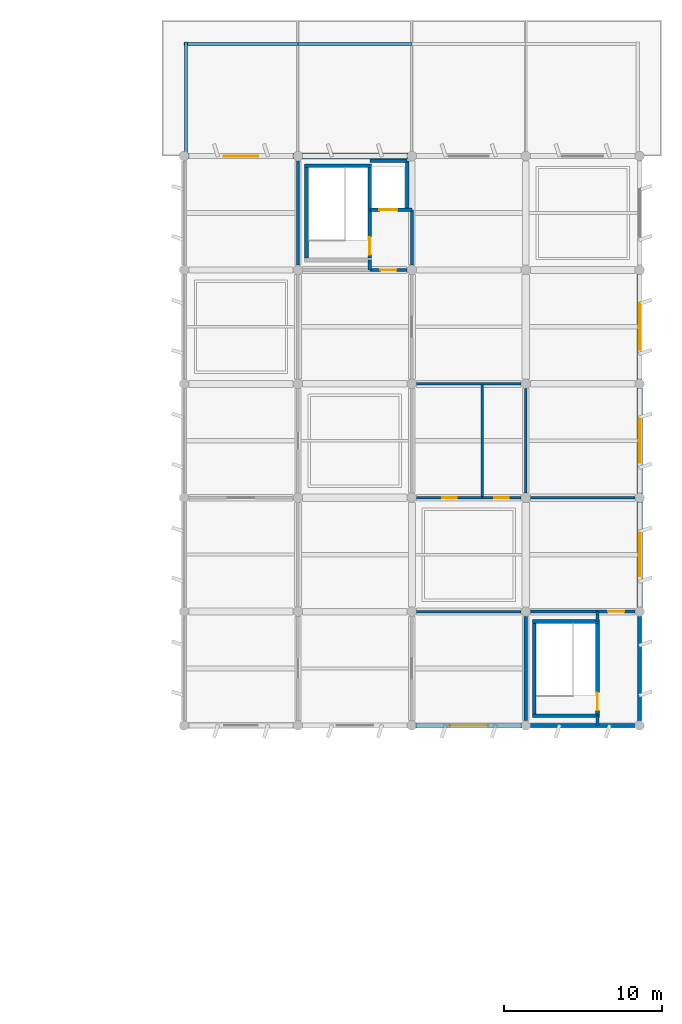
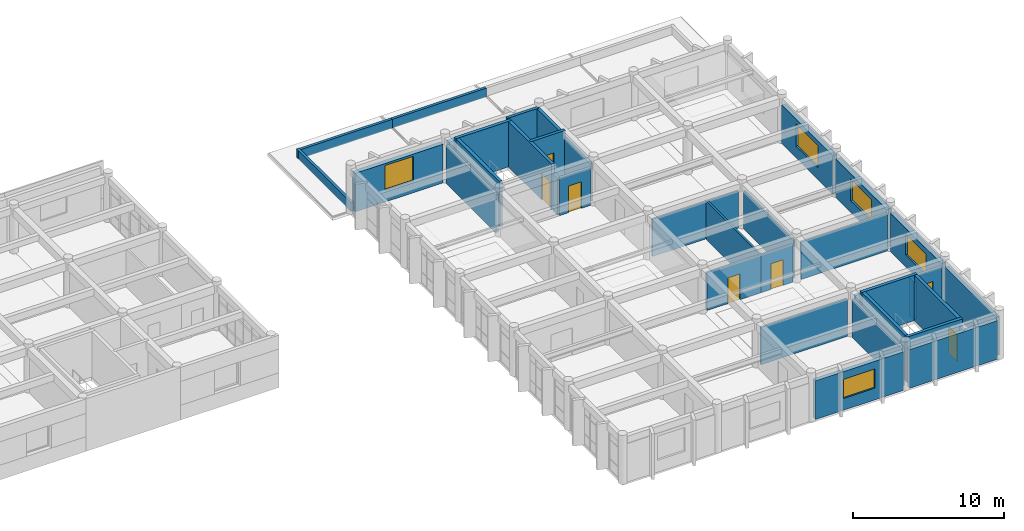
# One storey, part 13 of 16: 37 walls, 7 doors, 5 windows, 12 openings.
"""IFC4 building model written with IfcOpenShell, lengths in metres."""

from ifc_helpers import new_model, si_unit, direction, frame, frame_2d, origin, place, context, subcontext, project, spatial, rectangle, extrude, material, layer, layer_set, type_object, element, fill, save


model = new_model("IFC4")

# Units and contexts
model_context = context("Model", 3, precision=1e-05, world=origin(), true_north=direction((0.0, 1.0)))
body_context = subcontext(model_context, "Body", "Model", "MODEL_VIEW")
ifc_project = project(units=[si_unit("LENGTHUNIT", "METRE"), si_unit("AREAUNIT", "SQUARE_METRE"), si_unit("VOLUMEUNIT", "CUBIC_METRE"), si_unit("PLANEANGLEUNIT", "RADIAN"), si_unit("MASSUNIT", "GRAM", prefix="KILO")], contexts=[model_context])

# Site, building, storey
site_placement = place(None, origin())
site = spatial("IfcSite", under=ifc_project, at=site_placement, CompositionType="ELEMENT")
building_placement = place(site_placement, origin())
building = spatial("IfcBuilding", under=site, at=building_placement, Name="Kavelor Marine Aquarium", CompositionType="ELEMENT")
storey_placement = place(building_placement, frame((0.0, 0.0, 21.60009765625)))
storey = spatial("IfcBuildingStorey", under=building, at=storey_placement, Name="L05", CompositionType="ELEMENT", Elevation=21.60009765625)

# Wall
ifc_material_1 = material(Name="Concrete C45/55", Category="concrete")
ifc_layer_1 = layer(ifc_material_1, 0.360107421875)
ifc_layer_set_1 = layer_set([ifc_layer_1], Name="WL-EX1")
wall_type_1 = type_object("IfcWallType", Name="WL-EX1", PredefinedType="STANDARD", material=ifc_layer_set_1)
wall_1_placement = place(storey_placement, frame((125.8349609375, 103.60009765625, 0.0), z_axis=(0.0, 0.0, 1.0), x_axis=(1.0, 0.0, 0.0)))
element("IfcWall", 1, at=wall_1_placement, inside=storey, type_object=wall_type_1, Name="ew:x:L05:17_14", PredefinedType="STANDARD", context=body_context, shape_type="SweptSolid", body=[
    extrude(rectangle(XDim=6.72998046875, YDim=0.360107421875, at=frame_2d((3.364990234375, 0.0))), origin(), (0.0, 0.0, 1.0), 3.119873046875),
])

# Wall, opening, window
wall_2_placement = place(storey_placement, frame((147.199951171875, 88.965087890625, 0.0), z_axis=(0.0, 0.0, 1.0), x_axis=(0.0, -1.0, 0.0)))
wall_2 = element("IfcWall", 2, at=wall_2_placement, inside=storey, type_object=wall_type_1, Name="ew:y:L05:20_11", PredefinedType="STANDARD", context=body_context, shape_type="SweptSolid", body=[
    extrude(rectangle(XDim=6.72998046875, YDim=0.360107421875, at=frame_2d((3.364990234375, 0.0))), origin(), (0.0, 0.0, 1.0), 3.119873046875),
])
opening_1_placement = place(wall_2_placement, frame((1.965087890625, 0.0, 0.949951171875)))
opening_1 = element("IfcOpeningElement", 3, at=opening_1_placement, cuts=wall_2, Name="Opening W18", PredefinedType="OPENING", context=body_context, shape_type="SweptSolid", body=[
    extrude(rectangle(XDim=2.800048828125, YDim=1.75, at=frame_2d((1.39990234375, 0.875))), frame((0.0, 0.18994140625, 0.0), z_axis=(0.0, -1.0, 0.0), x_axis=(1.0, 0.0, 0.0)), (0.0, 0.0, 1.0), 0.380107),
])
ifc_material_2 = material(Name="Anodised Aluminium Frame with Low-E Double Glazing", Category="aluminium")
window_type_1 = type_object("IfcWindowType", Name="WIN-W18", PartitioningType="DOUBLE_PANEL_VERTICAL", PredefinedType="WINDOW", material=ifc_material_2)
window_1_placement = place(opening_1_placement, origin())
window_1 = element("IfcWindow", 4, at=window_1_placement, inside=storey, type_object=window_type_1, Name="win:y:L05:20_11", OverallHeight=1.75, OverallWidth=2.800048828125, PartitioningType="SINGLE_PANEL", PredefinedType="WINDOW", context=body_context, shape_type="SweptSolid", body=[
    extrude(rectangle(XDim=2.800048828125, YDim=1.75, at=frame_2d((1.39990234375, 0.875))), frame((0.0, 0.030029296875, 0.0), z_axis=(0.0, -1.0, 0.0), x_axis=(1.0, 0.0, 0.0)), (0.0, 0.0, 1.0), 0.06005859375),
])
fill(opening_1, window_1)

ifc_material_3 = material(Name="Concrete C45/55", Category="concrete")
ifc_layer_2 = layer(ifc_material_3, 0.320068359375)
ifc_layer_set_2 = layer_set([ifc_layer_2], Name="WL-EX2")
wall_type_2 = type_object("IfcWallType", Name="WL-EX2", PredefinedType="STANDARD", material=ifc_layer_set_2)
wall_3_placement = place(storey_placement, frame((147.199951171875, 96.1650390625, 0.0), z_axis=(0.0, 0.0, 1.0), x_axis=(0.0, -1.0, 0.0)))
wall_3 = element("IfcWall", 5, at=wall_3_placement, inside=storey, type_object=wall_type_2, Name="ew:y:L05:20_12", PredefinedType="STANDARD", context=body_context, shape_type="SweptSolid", body=[
    extrude(rectangle(XDim=6.72998046875, YDim=0.320068359375, at=frame_2d((3.364990234375, 0.0))), origin(), (0.0, 0.0, 1.0), 3.119873046875),
])
opening_2_placement = place(wall_3_placement, frame((1.9150390625, 0.0, 0.949951171875)))
opening_2 = element("IfcOpeningElement", 6, at=opening_2_placement, cuts=wall_3, Name="Opening W19", PredefinedType="OPENING", context=body_context, shape_type="SweptSolid", body=[
    extrude(rectangle(XDim=2.89990234375, YDim=1.800048828125, at=frame_2d((1.449951171875, 0.89990234375))), frame((0.0, 0.169921875, 0.0), z_axis=(0.0, -1.0, 0.0), x_axis=(1.0, 0.0, 0.0)), (0.0, 0.0, 1.0), 0.340068),
])
ifc_material_4 = material(Name="Anodised Aluminium Frame with Low-E Double Glazing", Category="aluminium")
window_type_2 = type_object("IfcWindowType", Name="WIN-W19", PartitioningType="DOUBLE_PANEL_VERTICAL", PredefinedType="WINDOW", material=ifc_material_4)
window_2_placement = place(opening_2_placement, origin())
window_2 = element("IfcWindow", 7, at=window_2_placement, inside=storey, type_object=window_type_2, Name="win:y:L05:20_12", OverallHeight=1.800048828125, OverallWidth=2.89990234375, PartitioningType="SINGLE_PANEL", PredefinedType="WINDOW", context=body_context, shape_type="SweptSolid", body=[
    extrude(rectangle(XDim=2.89990234375, YDim=1.800048828125, at=frame_2d((1.449951171875, 0.89990234375))), frame((0.0, 0.030029296875, 0.0), z_axis=(0.0, -1.0, 0.0), x_axis=(1.0, 0.0, 0.0)), (0.0, 0.0, 1.0), 0.06005859375),
])
fill(opening_2, window_2)

ifc_material_5 = material(Name="Concrete C40/50", Category="concrete")
ifc_layer_3 = layer(ifc_material_5, 0.300048828125)
ifc_layer_set_3 = layer_set([ifc_layer_3], Name="WL-EX3")
wall_type_3 = type_object("IfcWallType", Name="WL-EX3", PredefinedType="STANDARD", material=ifc_layer_set_3)
wall_4_placement = place(storey_placement, frame((139.764892578125, 67.60009765625, 0.0), z_axis=(0.0, 0.0, 1.0), x_axis=(-1.0, 0.0, 0.0)))
wall_4 = element("IfcWall", 8, at=wall_4_placement, inside=storey, type_object=wall_type_3, Name="ew:x:L05:18_09", PredefinedType="STANDARD", context=body_context, shape_type="SweptSolid", body=[
    extrude(rectangle(XDim=6.72998046875, YDim=0.300048828125, at=frame_2d((3.364990234375, 0.0))), origin(), (0.0, 0.0, 1.0), 3.119873046875),
])
opening_3_placement = place(wall_4_placement, frame((2.1650390625, 0.0, 0.949951171875)))
opening_3 = element("IfcOpeningElement", 9, at=opening_3_placement, cuts=wall_4, Name="Opening W14", PredefinedType="OPENING", context=body_context, shape_type="SweptSolid", body=[
    extrude(rectangle(XDim=2.39990234375, YDim=1.550048828125, at=frame_2d((1.199951171875, 0.77490234375))), frame((0.0, 0.159912109375, 0.0), z_axis=(0.0, -1.0, 0.0), x_axis=(1.0, 0.0, 0.0)), (0.0, 0.0, 1.0), 0.320049),
])
ifc_material_6 = material(Name="Anodised Aluminium Frame with Low-E Double Glazing", Category="aluminium")
window_type_3 = type_object("IfcWindowType", Name="WIN-W14", PartitioningType="DOUBLE_PANEL_VERTICAL", PredefinedType="WINDOW", material=ifc_material_6)
window_3_placement = place(opening_3_placement, origin())
window_3 = element("IfcWindow", 10, at=window_3_placement, inside=storey, type_object=window_type_3, Name="win:x:L05:18_09", OverallHeight=1.550048828125, OverallWidth=2.39990234375, PartitioningType="SINGLE_PANEL", PredefinedType="WINDOW", context=body_context, shape_type="SweptSolid", body=[
    extrude(rectangle(XDim=2.39990234375, YDim=1.550048828125, at=frame_2d((1.199951171875, 0.77490234375))), frame((0.0, 0.030029296875, 0.0), z_axis=(0.0, -1.0, 0.0), x_axis=(1.0, 0.0, 0.0)), (0.0, 0.0, 1.0), 0.06005859375),
])
fill(opening_3, window_3)

# Walls
ifc_material_7 = material(Name="Concrete C40/50", Category="concrete")
ifc_layer_4 = layer(ifc_material_7, 0.280029296875)
ifc_layer_set_4 = layer_set([ifc_layer_4], Name="WL-EX4")
wall_type_4 = type_object("IfcWallType", Name="WL-EX4", PredefinedType="STANDARD", material=ifc_layer_set_4)
wall_5_placement = place(storey_placement, frame((146.965087890625, 67.60009765625, 0.0), z_axis=(0.0, 0.0, 1.0), x_axis=(-1.0, 0.0, 0.0)))
element("IfcWall", 11, at=wall_5_placement, inside=storey, type_object=wall_type_4, Name="ew:x:L05:19_09", PredefinedType="STANDARD", context=body_context, shape_type="SweptSolid", body=[
    extrude(rectangle(XDim=6.72998046875, YDim=0.280029296875, at=frame_2d((3.364990234375, 0.0))), origin(), (0.0, 0.0, 1.0), 3.119873046875),
])
ifc_material_8 = material(Name="Concrete C40/50", Category="concrete")
ifc_layer_5 = layer(ifc_material_8, 0.260009765625)
ifc_layer_set_5 = layer_set([ifc_layer_5], Name="WL-EX5")
wall_type_5 = type_object("IfcWallType", Name="WL-EX5", PredefinedType="STANDARD", material=ifc_layer_set_5)
wall_6_placement = place(storey_placement, frame((147.199951171875, 74.56494140625, 0.0), z_axis=(0.0, 0.0, 1.0), x_axis=(0.0, -1.0, 0.0)))
element("IfcWall", 12, at=wall_6_placement, inside=storey, type_object=wall_type_5, Name="ew:y:L05:20_09", PredefinedType="STANDARD", context=body_context, shape_type="SweptSolid", body=[
    extrude(rectangle(XDim=6.72998046875, YDim=0.260009765625, at=frame_2d((3.364990234375, 0.0))), origin(), (0.0, 0.0, 1.0), 3.119873046875),
])

# Wall, opening, window
ifc_material_9 = material(Name="Concrete C45/55", Category="concrete")
ifc_layer_6 = layer(ifc_material_9, 0.340087890625)
ifc_layer_set_6 = layer_set([ifc_layer_6], Name="WL-EX6")
wall_type_6 = type_object("IfcWallType", Name="WL-EX6", PredefinedType="STANDARD", material=ifc_layer_set_6)
wall_7_placement = place(storey_placement, frame((118.635009765625, 103.60009765625, 0.0), z_axis=(0.0, 0.0, 1.0), x_axis=(1.0, 0.0, 0.0)))
wall_7 = element("IfcWall", 13, at=wall_7_placement, inside=storey, type_object=wall_type_6, Name="ew:x:L05:16_14", PredefinedType="STANDARD", context=body_context, shape_type="SweptSolid", body=[
    extrude(rectangle(XDim=6.72998046875, YDim=0.340087890625, at=frame_2d((3.364990234375, 0.0))), origin(), (0.0, 0.0, 1.0), 3.119873046875),
])
opening_4_placement = place(wall_7_placement, frame((2.264892578125, 0.0, 0.949951171875)))
opening_4 = element("IfcOpeningElement", 14, at=opening_4_placement, cuts=wall_7, Name="Opening W12", PredefinedType="OPENING", context=body_context, shape_type="SweptSolid", body=[
    extrude(rectangle(XDim=2.199951171875, YDim=2.0, at=frame_2d((1.10009765625, 1.0))), frame((0.0, 0.179931640625, 0.0), z_axis=(0.0, -1.0, 0.0), x_axis=(1.0, 0.0, 0.0)), (0.0, 0.0, 1.0), 0.360088),
])
ifc_material_10 = material(Name="Anodised Aluminium Frame with Low-E Double Glazing", Category="aluminium")
window_type_4 = type_object("IfcWindowType", Name="WIN-W12", PartitioningType="DOUBLE_PANEL_VERTICAL", PredefinedType="WINDOW", material=ifc_material_10)
window_4_placement = place(opening_4_placement, origin())
window_4 = element("IfcWindow", 15, at=window_4_placement, inside=storey, type_object=window_type_4, Name="win:x:L05:16_14", OverallHeight=2.0, OverallWidth=2.199951171875, PartitioningType="SINGLE_PANEL", PredefinedType="WINDOW", context=body_context, shape_type="SweptSolid", body=[
    extrude(rectangle(XDim=2.199951171875, YDim=2.0, at=frame_2d((1.10009765625, 1.0))), frame((0.0, 0.030029296875, 0.0), z_axis=(0.0, -1.0, 0.0), x_axis=(1.0, 0.0, 0.0)), (0.0, 0.0, 1.0), 0.06005859375),
])
fill(opening_4, window_4)

wall_8_placement = place(storey_placement, frame((147.199951171875, 81.764892578125, 0.0), z_axis=(0.0, 0.0, 1.0), x_axis=(0.0, -1.0, 0.0)))
wall_8 = element("IfcWall", 16, at=wall_8_placement, inside=storey, type_object=wall_type_6, Name="ew:y:L05:20_10", PredefinedType="STANDARD", context=body_context, shape_type="SweptSolid", body=[
    extrude(rectangle(XDim=6.72998046875, YDim=0.340087890625, at=frame_2d((3.364990234375, 0.0))), origin(), (0.0, 0.0, 1.0), 3.119873046875),
])
opening_5_placement = place(wall_8_placement, frame((2.014892578125, 0.0, 0.949951171875)))
opening_5 = element("IfcOpeningElement", 17, at=opening_5_placement, cuts=wall_8, Name="Opening W17", PredefinedType="OPENING", context=body_context, shape_type="SweptSolid", body=[
    extrude(rectangle(XDim=2.699951171875, YDim=1.699951171875, at=frame_2d((1.35009765625, 0.85009765625))), frame((0.0, 0.179931640625, 0.0), z_axis=(0.0, -1.0, 0.0), x_axis=(1.0, 0.0, 0.0)), (0.0, 0.0, 1.0), 0.360088),
])
ifc_material_11 = material(Name="Anodised Aluminium Frame with Low-E Double Glazing", Category="aluminium")
window_type_5 = type_object("IfcWindowType", Name="WIN-W17", PartitioningType="DOUBLE_PANEL_VERTICAL", PredefinedType="WINDOW", material=ifc_material_11)
window_5_placement = place(opening_5_placement, origin())
window_5 = element("IfcWindow", 18, at=window_5_placement, inside=storey, type_object=window_type_5, Name="win:y:L05:20_10", OverallHeight=1.699951171875, OverallWidth=2.699951171875, PartitioningType="SINGLE_PANEL", PredefinedType="WINDOW", context=body_context, shape_type="SweptSolid", body=[
    extrude(rectangle(XDim=2.699951171875, YDim=1.699951171875, at=frame_2d((1.35009765625, 0.85009765625))), frame((0.0, 0.030029296875, 0.0), z_axis=(0.0, -1.0, 0.0), x_axis=(1.0, 0.0, 0.0)), (0.0, 0.0, 1.0), 0.06005859375),
])
fill(opening_5, window_5)

# Walls
ifc_material_12 = material(Name="Concrete C40/50", Category="concrete")
ifc_layer_7 = layer(ifc_material_12, 0.199951171875)
ifc_layer_set_7 = layer_set([ifc_layer_7], Name="WL-PR3")
wall_type_7 = type_object("IfcWallType", Name="WL-PR3", PredefinedType="PARAPET", material=ifc_layer_set_7)
wall_9_placement = place(storey_placement, frame((118.39990234375, 110.679931640625, 0.0), z_axis=(0.0, 0.0, 1.0), x_axis=(1.0, 0.0, 0.0)))
element("IfcWall", 19, at=wall_9_placement, inside=storey, type_object=wall_type_7, Name="par:n:L05:16_14", PredefinedType="PARAPET", context=body_context, shape_type="SweptSolid", body=[
    extrude(rectangle(XDim=7.2001953125, YDim=0.199951171875, at=frame_2d((3.60009765625, 0.0))), origin(), (0.0, 0.0, 1.0), 0.719970703125),
])
for number, where, z_axis, x_axis, name in (
    (20, (118.52001953125, 103.60009765625, 0.0), (0.0, 0.0, 1.0), (0.0, 1.0, 0.0), "par:w:L05:16_14"),
    (21, (125.60009765625, 110.679931640625, 0.0), (0.0, 0.0, 1.0), (1.0, 0.0, 0.0), "par:n:L05:17_14"),
):
    element("IfcWall", number, at=place(storey_placement, frame(where, z_axis=z_axis, x_axis=x_axis)), inside=storey, type_object=wall_type_7, Name=name, PredefinedType="PARAPET", context=body_context, shape_type="SweptSolid", body=[
        extrude(rectangle(XDim=7.199951171875, YDim=0.199951171875, at=frame_2d((3.60009765625, 0.0))), origin(), (0.0, 0.0, 1.0), 0.719970703125),
    ])
ifc_material_13 = material(Name="Concrete Blockwork Partition", Category="masonry")
ifc_layer_8 = layer(ifc_material_13, 0.199951171875)
ifc_layer_set_8 = layer_set([ifc_layer_8], Name="WL-PT1")
wall_type_8 = type_object("IfcWallType", Name="WL-PT1", PredefinedType="PARTITIONING", material=ifc_layer_set_8)
wall_10_placement = place(storey_placement, frame((130.139892578125, 96.39990234375, 0.0), z_axis=(0.0, 0.0, 1.0), x_axis=(0.0, 1.0, 0.0)))
element("IfcWall", 22, at=wall_10_placement, inside=storey, type_object=wall_type_8, Name="pt:st_close:s:C10:L05", PredefinedType="PARTITIONING", context=body_context, shape_type="SweptSolid", body=[
    extrude(rectangle(XDim=0.6201171875, YDim=0.199951171875, at=frame_2d((0.31005859375, 0.0))), origin(), (0.0, 0.0, 1.0), 3.02001953125),
])
wall_11_placement = place(storey_placement, frame((125.60009765625, 96.699951171875, 0.0), z_axis=(0.0, 0.0, 1.0), x_axis=(0.0, 1.0, 0.0)))
element("IfcWall", 23, at=wall_11_placement, inside=storey, type_object=wall_type_8, Name="pt:lob:C10:L05:w", PredefinedType="PARTITIONING", context=body_context, shape_type="SweptSolid", body=[
    extrude(rectangle(XDim=6.60009765625, YDim=0.199951171875, at=frame_2d((3.300048828125, 0.0))), origin(), (0.0, 0.0, 1.0), 3.06982421875),
])
wall_12_placement = place(storey_placement, frame((132.800048828125, 96.699951171875, 0.0), z_axis=(0.0, 0.0, 1.0), x_axis=(0.0, 1.0, 0.0)))
element("IfcWall", 24, at=wall_12_placement, inside=storey, type_object=wall_type_8, Name="pt:lob:C10:L05:e", PredefinedType="PARTITIONING", context=body_context, shape_type="SweptSolid", body=[
    extrude(rectangle(XDim=3.5, YDim=0.199951171875, at=frame_2d((1.75, 0.0))), origin(), (0.0, 0.0, 1.0), 3.06982421875),
])

# Wall, opening, door
wall_13_placement = place(storey_placement, frame((130.139892578125, 96.39990234375, 0.0), z_axis=(0.0, 0.0, 1.0), x_axis=(1.0, 0.0, 0.0)))
wall_13 = element("IfcWall", 25, at=wall_13_placement, inside=storey, type_object=wall_type_8, Name="pt:lob:C10:L05:s", PredefinedType="PARTITIONING", context=body_context, shape_type="SweptSolid", body=[
    extrude(rectangle(XDim=2.360107421875, YDim=0.199951171875, at=frame_2d((1.18017578125, 0.0))), origin(), (0.0, 0.0, 1.0), 3.02001953125),
])
opening_6_placement = place(wall_13_placement, frame((0.669921875, 0.0, 0.0)))
opening_6 = element("IfcOpeningElement", 26, at=opening_6_placement, cuts=wall_13, Name="Opening SD1", PredefinedType="OPENING", context=body_context, shape_type="SweptSolid", body=[
    extrude(rectangle(XDim=1.02001953125, YDim=2.14990234375, at=frame_2d((0.510009765625, 1.074951171875))), frame((0.0, 0.10986328125, 0.0), z_axis=(0.0, -1.0, 0.0), x_axis=(1.0, 0.0, 0.0)), (0.0, 0.0, 1.0), 0.219951),
])
ifc_material_14 = material(Name="Fire-Rated Corridor Compartment Door")
door_type_1 = type_object("IfcDoorType", Name="DR-SD1", OperationType="NOTDEFINED", PredefinedType="DOOR", material=ifc_material_14)
door_1_placement = place(opening_6_placement, origin())
door_1 = element("IfcDoor", 27, at=door_1_placement, inside=storey, type_object=door_type_1, Name="Core Lobby Fire Door C10-L05", OperationType="SINGLE_SWING_RIGHT", OverallHeight=2.14990234375, OverallWidth=1.02001953125, PredefinedType="DOOR", context=body_context, shape_type="SweptSolid", body=[
    extrude(rectangle(XDim=1.02001953125, YDim=2.14990234375, at=frame_2d((0.510009765625, 1.074951171875))), frame((0.0, 0.02490234375, 0.0), z_axis=(0.0, -1.0, 0.0), x_axis=(1.0, 0.0, 0.0)), (0.0, 0.0, 1.0), 0.050048828125),
])
fill(opening_6, door_1)

# Walls
wall_14_placement = place(storey_placement, frame((144.5400390625, 67.60009765625, 0.0), z_axis=(0.0, 0.0, 1.0), x_axis=(0.0, 1.0, 0.0)))
element("IfcWall", 28, at=wall_14_placement, inside=storey, type_object=wall_type_8, Name="pt:st_close:s:C11:L05", PredefinedType="PARTITIONING", context=body_context, shape_type="SweptSolid", body=[
    extrude(rectangle(XDim=0.619873046875, YDim=0.199951171875, at=frame_2d((0.31005859375, 0.0))), origin(), (0.0, 0.0, 1.0), 3.119873046875),
])
wall_15_placement = place(storey_placement, frame((144.5400390625, 74.179931640625, 0.0), z_axis=(0.0, 0.0, 1.0), x_axis=(0.0, 1.0, 0.0)))
element("IfcWall", 29, at=wall_15_placement, inside=storey, type_object=wall_type_8, Name="pt:st_close:n:C11:L05", PredefinedType="PARTITIONING", context=body_context, shape_type="SweptSolid", body=[
    extrude(rectangle(XDim=0.6201171875, YDim=0.199951171875, at=frame_2d((0.31005859375, 0.0))), origin(), (0.0, 0.0, 1.0), 3.06982421875),
])
wall_16_placement = place(storey_placement, frame((140.0, 67.89990234375, 0.0), z_axis=(0.0, 0.0, 1.0), x_axis=(0.0, 1.0, 0.0)))
element("IfcWall", 30, at=wall_16_placement, inside=storey, type_object=wall_type_8, Name="pt:lob:C11:L05:w", PredefinedType="PARTITIONING", context=body_context, shape_type="SweptSolid", body=[
    extrude(rectangle(XDim=6.60009765625, YDim=0.199951171875, at=frame_2d((3.300048828125, 0.0))), origin(), (0.0, 0.0, 1.0), 3.06982421875),
])
wall_17_placement = place(storey_placement, frame((140.300048828125, 74.800048828125, 0.0), z_axis=(0.0, 0.0, 1.0), x_axis=(1.0, 0.0, 0.0)))
element("IfcWall", 31, at=wall_17_placement, inside=storey, type_object=wall_type_8, Name="pt:lob:C11:L05:n_st", PredefinedType="PARTITIONING", context=body_context, shape_type="SweptSolid", body=[
    extrude(rectangle(XDim=4.239990234375, YDim=0.199951171875, at=frame_2d((2.1201171875, 0.0))), origin(), (0.0, 0.0, 1.0), 3.06982421875),
])

# Wall, opening, door
wall_18_placement = place(storey_placement, frame((144.5400390625, 74.800048828125, 0.0), z_axis=(0.0, 0.0, 1.0), x_axis=(1.0, 0.0, 0.0)))
wall_18 = element("IfcWall", 32, at=wall_18_placement, inside=storey, type_object=wall_type_8, Name="pt:lob:C11:L05:n", PredefinedType="PARTITIONING", context=body_context, shape_type="SweptSolid", body=[
    extrude(rectangle(XDim=2.35986328125, YDim=0.199951171875, at=frame_2d((1.179931640625, 0.0))), origin(), (0.0, 0.0, 1.0), 3.06982421875),
])
opening_7_placement = place(wall_18_placement, frame((0.669921875, 0.0, 0.0)))
opening_7 = element("IfcOpeningElement", 33, at=opening_7_placement, cuts=wall_18, Name="Opening SD1", PredefinedType="OPENING", context=body_context, shape_type="SweptSolid", body=[
    extrude(rectangle(XDim=1.02001953125, YDim=2.14990234375, at=frame_2d((0.510009765625, 1.074951171875))), frame((0.0, 0.10986328125, 0.0), z_axis=(0.0, -1.0, 0.0), x_axis=(1.0, 0.0, 0.0)), (0.0, 0.0, 1.0), 0.219951),
])
door_2_placement = place(opening_7_placement, origin())
door_2 = element("IfcDoor", 34, at=door_2_placement, inside=storey, type_object=door_type_1, Name="Core Lobby Fire Door C11-L05", OperationType="SINGLE_SWING_RIGHT", OverallHeight=2.14990234375, OverallWidth=1.02001953125, PredefinedType="DOOR", context=body_context, shape_type="SweptSolid", body=[
    extrude(rectangle(XDim=1.02001953125, YDim=2.14990234375, at=frame_2d((0.510009765625, 1.074951171875))), frame((0.0, 0.02490234375, 0.0), z_axis=(0.0, -1.0, 0.0), x_axis=(1.0, 0.0, 0.0)), (0.0, 0.0, 1.0), 0.050048828125),
])
fill(opening_7, door_2)

# Walls
ifc_material_15 = material(Name="Acoustic Gypsum Stud Partition")
ifc_layer_9 = layer(ifc_material_15, 0.159912109375)
ifc_layer_set_9 = layer_set([ifc_layer_9], Name="WL-PT2")
wall_type_9 = type_object("IfcWallType", Name="WL-PT2", PredefinedType="PARTITIONING", material=ifc_layer_set_9)
for number, where, z_axis, x_axis, name in (
    (35, (133.10009765625, 74.800048828125, 0.0), (0.0, 0.0, 1.0), (1.0, 0.0, 0.0), "pt:x:L05:18_09"),
    (36, (140.300048828125, 82.0, 0.0), (0.0, 0.0, 1.0), (1.0, 0.0, 0.0), "pt:x:L05:19_10"),
):
    element("IfcWall", number, at=place(storey_placement, frame(where, z_axis=z_axis, x_axis=x_axis)), inside=storey, type_object=wall_type_9, Name=name, PredefinedType="PARTITIONING", context=body_context, shape_type="SweptSolid", body=[
        extrude(rectangle(XDim=6.599853515625, YDim=0.159912109375, at=frame_2d((3.2998046875, 0.0))), origin(), (0.0, 0.0, 1.0), 3.02001953125),
    ])
ifc_material_16 = material(Name="Moisture-Resistant Marine Partition")
ifc_layer_10 = layer(ifc_material_16, 0.139892578125)
ifc_layer_set_10 = layer_set([ifc_layer_10], Name="WL-PT3")
wall_type_10 = type_object("IfcWallType", Name="WL-PT3", PredefinedType="PARTITIONING", material=ifc_layer_set_10)
wall_19_placement = place(storey_placement, frame((137.25, 82.0, 0.0), z_axis=(0.0, 0.0, 1.0), x_axis=(0.0, 1.0, 0.0)))
element("IfcWall", 37, at=wall_19_placement, inside=storey, type_object=wall_type_10, Name="pt:san:div:L05:18_11", PredefinedType="PARTITIONING", context=body_context, shape_type="SweptSolid", body=[
    extrude(rectangle(XDim=7.199951171875, YDim=0.139892578125, at=frame_2d((3.60009765625, 0.0))), origin(), (0.0, 0.0, 1.0), 3.099853515625),
])

# Wall, opening, door
wall_20_placement = place(storey_placement, frame((133.10009765625, 82.0, 0.0), z_axis=(0.0, 0.0, 1.0), x_axis=(1.0, 0.0, 0.0)))
wall_20 = element("IfcWall", 38, at=wall_20_placement, inside=storey, type_object=wall_type_10, Name="pt:san:f1:L05:18_11", PredefinedType="PARTITIONING", context=body_context, shape_type="SweptSolid", body=[
    extrude(rectangle(XDim=4.14990234375, YDim=0.139892578125, at=frame_2d((2.074951171875, 0.0))), origin(), (0.0, 0.0, 1.0), 3.06982421875),
])
opening_8_placement = place(wall_20_placement, frame((1.614990234375, 0.0, 0.0)))
opening_8 = element("IfcOpeningElement", 39, at=opening_8_placement, cuts=wall_20, Name="Opening D02", PredefinedType="OPENING", context=body_context, shape_type="SweptSolid", body=[
    extrude(rectangle(XDim=0.919921875, YDim=2.080078125, at=frame_2d((0.4599609375, 1.0400390625))), frame((0.0, 0.079833984375, 0.0), z_axis=(0.0, -1.0, 0.0), x_axis=(1.0, 0.0, 0.0)), (0.0, 0.0, 1.0), 0.159893),
])
ifc_material_17 = material(Name="Moisture-Resistant Laminate Sanitary Door")
door_type_2 = type_object("IfcDoorType", Name="DR-D02", OperationType="NOTDEFINED", PredefinedType="DOOR", material=ifc_material_17)
door_3_placement = place(opening_8_placement, origin())
door_3 = element("IfcDoor", 40, at=door_3_placement, inside=storey, type_object=door_type_2, Name="dr:wc:L05:18_11", OperationType="SINGLE_SWING_RIGHT", OverallHeight=2.080078125, OverallWidth=0.919921875, PredefinedType="DOOR", context=body_context, shape_type="SweptSolid", body=[
    extrude(rectangle(XDim=0.919921875, YDim=2.080078125, at=frame_2d((0.4599609375, 1.0400390625))), frame((0.0, 0.02490234375, 0.0), z_axis=(0.0, -1.0, 0.0), x_axis=(1.0, 0.0, 0.0)), (0.0, 0.0, 1.0), 0.050048828125),
])
fill(opening_8, door_3)

wall_21_placement = place(storey_placement, frame((137.25, 82.0, 0.0), z_axis=(0.0, 0.0, 1.0), x_axis=(1.0, 0.0, 0.0)))
wall_21 = element("IfcWall", 41, at=wall_21_placement, inside=storey, type_object=wall_type_10, Name="pt:san:f2:L05:18_11", PredefinedType="PARTITIONING", context=body_context, shape_type="SweptSolid", body=[
    extrude(rectangle(XDim=2.449951171875, YDim=0.139892578125, at=frame_2d((1.22509765625, 0.0))), origin(), (0.0, 0.0, 1.0), 3.06982421875),
])
opening_9_placement = place(wall_21_placement, frame((0.764892578125, 0.0, 0.0)))
opening_9 = element("IfcOpeningElement", 42, at=opening_9_placement, cuts=wall_21, Name="Opening D02", PredefinedType="OPENING", context=body_context, shape_type="SweptSolid", body=[
    extrude(rectangle(XDim=0.919921875, YDim=2.080078125, at=frame_2d((0.4599609375, 1.0400390625))), frame((0.0, 0.079833984375, 0.0), z_axis=(0.0, -1.0, 0.0), x_axis=(1.0, 0.0, 0.0)), (0.0, 0.0, 1.0), 0.159893),
])
door_4_placement = place(opening_9_placement, origin())
door_4 = element("IfcDoor", 43, at=door_4_placement, inside=storey, type_object=door_type_2, Name="dr:awc:L05:18_11", OperationType="SINGLE_SWING_LEFT", OverallHeight=2.080078125, OverallWidth=0.919921875, PredefinedType="DOOR", context=body_context, shape_type="SweptSolid", body=[
    extrude(rectangle(XDim=0.919921875, YDim=2.080078125, at=frame_2d((0.4599609375, 1.0400390625))), frame((0.0, 0.02490234375, 0.0), z_axis=(0.0, -1.0, 0.0), x_axis=(1.0, 0.0, 0.0)), (0.0, 0.0, 1.0), 0.050048828125),
])
fill(opening_9, door_4)

# Walls
wall_22_placement = place(storey_placement, frame((133.10009765625, 89.199951171875, 0.0), z_axis=(0.0, 0.0, 1.0), x_axis=(1.0, 0.0, 0.0)))
element("IfcWall", 44, at=wall_22_placement, inside=storey, type_object=wall_type_10, Name="pt:san:enc_n:L05:18_11", PredefinedType="PARTITIONING", context=body_context, shape_type="SweptSolid", body=[
    extrude(rectangle(XDim=6.599853515625, YDim=0.139892578125, at=frame_2d((3.2998046875, 0.0))), origin(), (0.0, 0.0, 1.0), 3.02001953125),
])
wall_23_placement = place(storey_placement, frame((140.0, 82.300048828125, 0.0), z_axis=(0.0, 0.0, 1.0), x_axis=(0.0, 1.0, 0.0)))
element("IfcWall", 45, at=wall_23_placement, inside=storey, type_object=wall_type_10, Name="pt:san:enc_e:L05:18_11", PredefinedType="PARTITIONING", context=body_context, shape_type="SweptSolid", body=[
    extrude(rectangle(XDim=6.599853515625, YDim=0.139892578125, at=frame_2d((3.2998046875, 0.0))), origin(), (0.0, 0.0, 1.0), 3.06982421875),
])
ifc_material_18 = material(Name="Concrete C40/50", Category="concrete")
ifc_layer_11 = layer(ifc_material_18, 0.35009765625)
ifc_layer_set_11 = layer_set([ifc_layer_11], Name="WL-SW2")
wall_type_11 = type_object("IfcWallType", Name="WL-SW2", PredefinedType="SHEAR", material=ifc_layer_set_11)
wall_24_placement = place(storey_placement, frame((126.02001953125, 102.97998046875, 0.0), z_axis=(0.0, 0.0, 1.0), x_axis=(1.0, 0.0, 0.0)))
element("IfcWall", 46, at=wall_24_placement, inside=storey, type_object=wall_type_11, Name="cw_st:n:C10:L05", PredefinedType="SHEAR", context=body_context, shape_type="SweptSolid", body=[
    extrude(rectangle(XDim=4.239990234375, YDim=0.239990234375, at=frame_2d((2.1201171875, 0.0))), origin(), (0.0, 0.0, 1.0), 3.679931640625),
])
wall_25_placement = place(storey_placement, frame((126.139892578125, 97.139892578125, 0.0), z_axis=(0.0, 0.0, 1.0), x_axis=(0.0, 1.0, 0.0)))
element("IfcWall", 47, at=wall_25_placement, inside=storey, type_object=wall_type_11, Name="cw_st:w:C10:L05", PredefinedType="SHEAR", context=body_context, shape_type="SweptSolid", body=[
    extrude(rectangle(XDim=5.72021484375, YDim=0.239990234375, at=frame_2d((2.860107421875, 0.0))), origin(), (0.0, 0.0, 1.0), 3.679931640625),
])

# Wall, opening, door
wall_26_placement = place(storey_placement, frame((130.139892578125, 97.139892578125, 0.0), z_axis=(0.0, 0.0, 1.0), x_axis=(0.0, 1.0, 0.0)))
wall_26 = element("IfcWall", 48, at=wall_26_placement, inside=storey, type_object=wall_type_11, Name="cw_st:e:C10:L05", PredefinedType="SHEAR", context=body_context, shape_type="SweptSolid", body=[
    extrude(rectangle(XDim=5.72021484375, YDim=0.239990234375, at=frame_2d((2.860107421875, 0.0))), origin(), (0.0, 0.0, 1.0), 3.679931640625),
])
opening_10_placement = place(wall_26_placement, frame((0.219970703125, 0.0, 0.0)))
opening_10 = element("IfcOpeningElement", 49, at=opening_10_placement, cuts=wall_26, Name="Opening FD1", PredefinedType="OPENING", context=body_context, shape_type="SweptSolid", body=[
    extrude(rectangle(XDim=1.1201171875, YDim=2.14990234375, at=frame_2d((0.56005859375, 1.074951171875))), frame((0.0, 0.1298828125, 0.0), z_axis=(0.0, -1.0, 0.0), x_axis=(1.0, 0.0, 0.0)), (0.0, 0.0, 1.0), 0.25999),
])
ifc_material_19 = material(Name="Fire-Rated Steel Stair and Core Door", Category="steel")
door_type_3 = type_object("IfcDoorType", Name="DR-FD1", OperationType="NOTDEFINED", PredefinedType="DOOR", material=ifc_material_19)
door_5_placement = place(opening_10_placement, origin())
door_5 = element("IfcDoor", 50, at=door_5_placement, inside=storey, type_object=door_type_3, Name="Stair Fire Door ST10-L05", OperationType="SINGLE_SWING_LEFT", OverallHeight=2.14990234375, OverallWidth=1.1201171875, PredefinedType="DOOR", context=body_context, shape_type="SweptSolid", body=[
    extrude(rectangle(XDim=1.1201171875, YDim=2.14990234375, at=frame_2d((0.56005859375, 1.074951171875))), frame((0.0, 0.02490234375, 0.0), z_axis=(0.0, -1.0, 0.0), x_axis=(1.0, 0.0, 0.0)), (0.0, 0.0, 1.0), 0.050048828125),
])
fill(opening_10, door_5)

wall_27_placement = place(storey_placement, frame((130.139892578125, 100.199951171875, 0.0), z_axis=(0.0, 0.0, 1.0), x_axis=(1.0, 0.0, 0.0)))
wall_27 = element("IfcWall", 51, at=wall_27_placement, inside=storey, type_object=wall_type_11, Name="cw_lf:s:C10:L05", PredefinedType="SHEAR", context=body_context, shape_type="SweptSolid", body=[
    extrude(rectangle(XDim=2.66015625, YDim=0.219970703125, at=frame_2d((1.330078125, 0.0))), origin(), (0.0, 0.0, 1.0), 3.679931640625),
])
opening_11_placement = place(wall_27_placement, frame((0.610107421875, 0.0, 0.0)))
opening_11 = element("IfcOpeningElement", 52, at=opening_11_placement, cuts=wall_27, Name="Opening LD1", PredefinedType="OPENING", context=body_context, shape_type="SweptSolid", body=[
    extrude(rectangle(XDim=1.139892578125, YDim=2.14990234375, at=frame_2d((0.56982421875, 1.074951171875))), frame((0.0, 0.119873046875, 0.0), z_axis=(0.0, -1.0, 0.0), x_axis=(1.0, 0.0, 0.0)), (0.0, 0.0, 1.0), 0.239971),
])
ifc_material_20 = material(Name="Stainless Steel Lift Landing Sliding Door", Category="steel")
door_type_4 = type_object("IfcDoorType", Name="DR-LD1", OperationType="NOTDEFINED", PredefinedType="DOOR", material=ifc_material_20)
door_6_placement = place(opening_11_placement, origin())
door_6 = element("IfcDoor", 53, at=door_6_placement, inside=storey, type_object=door_type_4, Name="Lift Landing Sliding Door EL3-L05", OperationType="SLIDING_TO_LEFT", OverallHeight=2.14990234375, OverallWidth=1.139892578125, PredefinedType="DOOR", context=body_context, shape_type="SweptSolid", body=[
    extrude(rectangle(XDim=1.139892578125, YDim=2.14990234375, at=frame_2d((0.56982421875, 1.074951171875))), frame((0.0, 0.02490234375, 0.0), z_axis=(0.0, -1.0, 0.0), x_axis=(1.0, 0.0, 0.0)), (0.0, 0.0, 1.0), 0.050048828125),
])
fill(opening_11, door_6)

# Walls
wall_28_placement = place(storey_placement, frame((130.139892578125, 103.300048828125, 0.0), z_axis=(0.0, 0.0, 1.0), x_axis=(1.0, 0.0, 0.0)))
element("IfcWall", 54, at=wall_28_placement, inside=storey, type_object=wall_type_11, Name="cw_lf:n:C10:L05", PredefinedType="SHEAR", context=body_context, shape_type="SweptSolid", body=[
    extrude(rectangle(XDim=2.360107421875, YDim=0.219970703125, at=frame_2d((1.18017578125, 0.0))), origin(), (0.0, 0.0, 1.0), 3.679931640625),
])
wall_29_placement = place(storey_placement, frame((132.5, 100.199951171875, 0.0), z_axis=(0.0, 0.0, 1.0), x_axis=(0.0, 1.0, 0.0)))
element("IfcWall", 55, at=wall_29_placement, inside=storey, type_object=wall_type_11, Name="cw_lf:e:C10:L05", PredefinedType="SHEAR", context=body_context, shape_type="SweptSolid", body=[
    extrude(rectangle(XDim=3.10009765625, YDim=0.219970703125, at=frame_2d((1.550048828125, 0.0))), origin(), (0.0, 0.0, 1.0), 3.679931640625),
])
for number, where, z_axis, x_axis, name in (
    (56, (140.419921875, 68.219970703125, 0.0), (0.0, 0.0, 1.0), (1.0, 0.0, 0.0), "cw_st:s:C11:L05"),
    (57, (140.419921875, 74.179931640625, 0.0), (0.0, 0.0, 1.0), (1.0, 0.0, 0.0), "cw_st:n:C11:L05"),
):
    element("IfcWall", number, at=place(storey_placement, frame(where, z_axis=z_axis, x_axis=x_axis)), inside=storey, type_object=wall_type_11, Name=name, PredefinedType="SHEAR", context=body_context, shape_type="SweptSolid", body=[
        extrude(rectangle(XDim=4.239990234375, YDim=0.239990234375, at=frame_2d((2.1201171875, 0.0))), origin(), (0.0, 0.0, 1.0), 3.679931640625),
    ])
wall_30_placement = place(storey_placement, frame((140.5400390625, 68.340087890625, 0.0), z_axis=(0.0, 0.0, 1.0), x_axis=(0.0, 1.0, 0.0)))
element("IfcWall", 58, at=wall_30_placement, inside=storey, type_object=wall_type_11, Name="cw_st:w:C11:L05", PredefinedType="SHEAR", context=body_context, shape_type="SweptSolid", body=[
    extrude(rectangle(XDim=5.719970703125, YDim=0.239990234375, at=frame_2d((2.85986328125, 0.0))), origin(), (0.0, 0.0, 1.0), 3.679931640625),
])

# Wall, opening, door
wall_31_placement = place(storey_placement, frame((144.5400390625, 68.340087890625, 0.0), z_axis=(0.0, 0.0, 1.0), x_axis=(0.0, 1.0, 0.0)))
wall_31 = element("IfcWall", 59, at=wall_31_placement, inside=storey, type_object=wall_type_11, Name="cw_st:e:C11:L05", PredefinedType="SHEAR", context=body_context, shape_type="SweptSolid", body=[
    extrude(rectangle(XDim=5.719970703125, YDim=0.239990234375, at=frame_2d((2.85986328125, 0.0))), origin(), (0.0, 0.0, 1.0), 3.679931640625),
])
opening_12_placement = place(wall_31_placement, frame((0.219970703125, 0.0, 0.0)))
opening_12 = element("IfcOpeningElement", 60, at=opening_12_placement, cuts=wall_31, Name="Opening FD1", PredefinedType="OPENING", context=body_context, shape_type="SweptSolid", body=[
    extrude(rectangle(XDim=1.1201171875, YDim=2.14990234375, at=frame_2d((0.56005859375, 1.074951171875))), frame((0.0, 0.1298828125, 0.0), z_axis=(0.0, -1.0, 0.0), x_axis=(1.0, 0.0, 0.0)), (0.0, 0.0, 1.0), 0.25999),
])
door_7_placement = place(opening_12_placement, origin())
door_7 = element("IfcDoor", 61, at=door_7_placement, inside=storey, type_object=door_type_3, Name="Stair Fire Door ST11-L05", OperationType="SINGLE_SWING_LEFT", OverallHeight=2.14990234375, OverallWidth=1.1201171875, PredefinedType="DOOR", context=body_context, shape_type="SweptSolid", body=[
    extrude(rectangle(XDim=1.1201171875, YDim=2.14990234375, at=frame_2d((0.56005859375, 1.074951171875))), frame((0.0, 0.02490234375, 0.0), z_axis=(0.0, -1.0, 0.0), x_axis=(1.0, 0.0, 0.0)), (0.0, 0.0, 1.0), 0.050048828125),
])
fill(opening_12, door_7)

save(model, "model.ifc")
